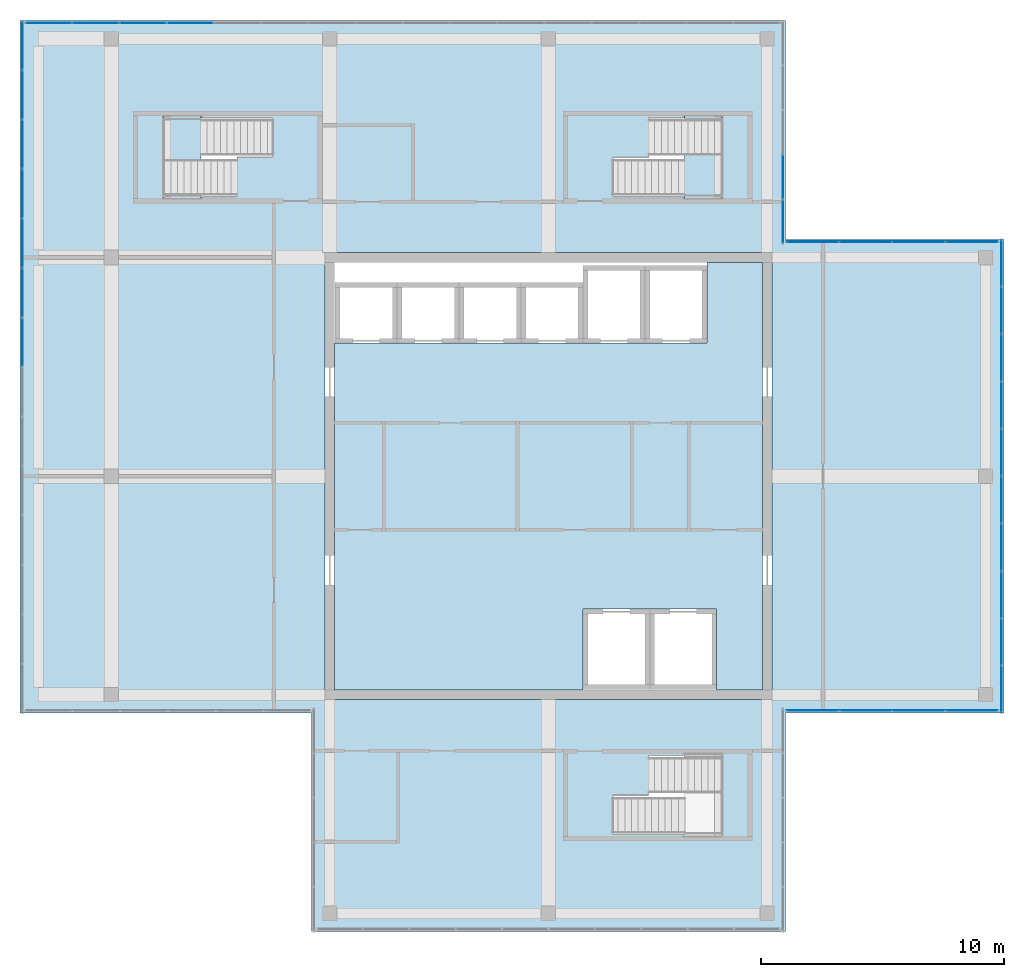
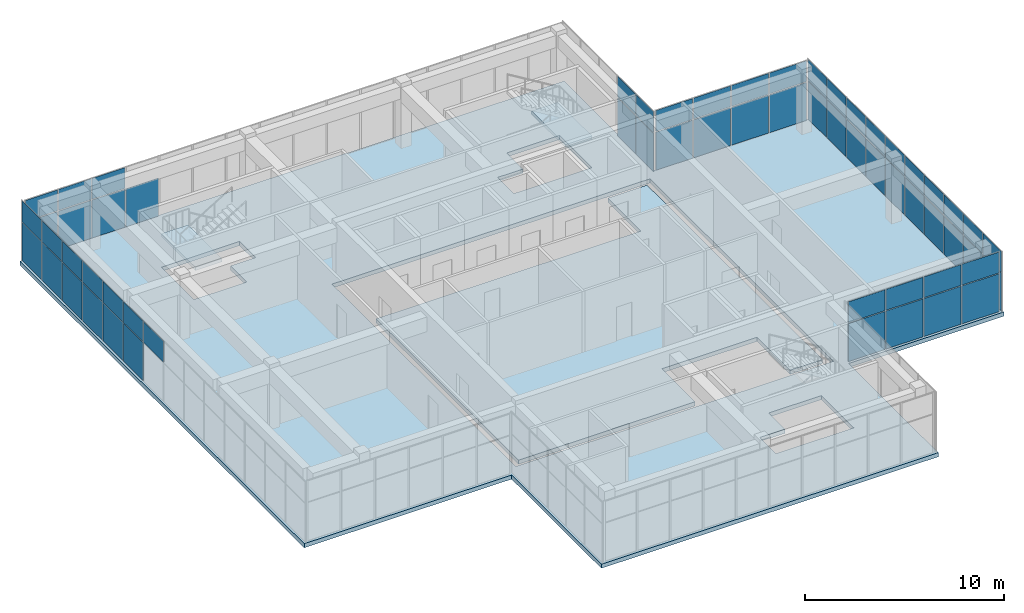
# One storey, part 30 of 35: 60 plates, 4 slabs, 8 elements without a shape of their own.
"""IFC4 building model written with IfcOpenShell, lengths in metres."""

from ifc_helpers import new_model, si_unit, direction, frame, origin, origin_2d, place, context, subcontext, project, spatial, polyline, rectangle, outline, extrude, material, layer, layer_set, type_object, element, aggregate, save


model = new_model("IFC4")

# Units and contexts
model_context = context("Model", 3, precision=1e-05, world=origin(), true_north=direction((0.0, 1.0)))
body_context = subcontext(model_context, "Body", "Model", "MODEL_VIEW")
ifc_project = project(units=[si_unit("LENGTHUNIT", "METRE"), si_unit("AREAUNIT", "SQUARE_METRE"), si_unit("VOLUMEUNIT", "CUBIC_METRE"), si_unit("PLANEANGLEUNIT", "RADIAN"), si_unit("MASSUNIT", "GRAM", prefix="KILO")], contexts=[model_context])

# Site, building, storey
site_placement = place(None, origin())
site = spatial("IfcSite", under=ifc_project, at=site_placement, CompositionType="ELEMENT")
building_placement = place(site_placement, origin())
building = spatial("IfcBuilding", under=site, at=building_placement, Name="Tuart Plaza Theatre", CompositionType="ELEMENT")
storey_placement = place(building_placement, frame((0.0, 0.0, 45.5)))
storey = spatial("IfcBuildingStorey", under=building, at=storey_placement, Name="L11", CompositionType="ELEMENT", Elevation=45.5)

# Curtain wall, plates
ifc_material_1 = material(Name="Aluminium and glass", Category="aluminium")
ifc_layer_1 = layer(ifc_material_1, 0.10009765625)
ifc_layer_set_1 = layer_set([ifc_layer_1], Name="CURTAIN WALL 2000 module")
curtain_wall_type = type_object("IfcCurtainWallType", Name="CURTAIN WALL 2000 module", PredefinedType="NOTDEFINED", material=ifc_layer_set_1)
curtain_wall_1_placement = place(storey_placement, origin())
curtain_wall_1 = element("IfcCurtainWall", 1, at=curtain_wall_1_placement, inside=storey, type_object=curtain_wall_type, Name="CW101", PredefinedType="NOTDEFINED")
ifc_material_2 = material(Name="Glass", Category="glass")
ifc_layer_2 = layer(ifc_material_2, 0.028076171875)
ifc_layer_set_2 = layer_set([ifc_layer_2], Name="CURTAIN PANEL double glazed 28")
plate_type_1 = type_object("IfcPlateType", Name="CURTAIN PANEL double glazed 28", PredefinedType="CURTAIN_PANEL", material=ifc_layer_set_2)
plate_1_placement = place(storey_placement, frame((142.862548828125, 64.35009765625, 0.0498046875), z_axis=(0.0, 0.0, 1.0), x_axis=(1.0, 0.0, 0.0)))
plate_1 = element("IfcPlate", 2, at=plate_1_placement, type_object=plate_type_1, Name="CW101 panel 1.1", PredefinedType="CURTAIN_PANEL", context=body_context, shape_type="SweptSolid", body=[
    extrude(rectangle(XDim=2.125, YDim=0.028076171875, at=origin_2d()), origin(), (0.0, 0.0, 1.0), 2.324951171875),
])
plate_2_placement = place(storey_placement, frame((142.862548828125, 64.35009765625, 2.425048828125), z_axis=(0.0, 0.0, 1.0), x_axis=(1.0, 0.0, 0.0)))
plate_2 = element("IfcPlate", 3, at=plate_2_placement, type_object=plate_type_1, Name="CW101 panel 1.2", PredefinedType="CURTAIN_PANEL", context=body_context, shape_type="SweptSolid", body=[
    extrude(rectangle(XDim=2.125, YDim=0.028076171875, at=origin_2d()), origin(), (0.0, 0.0, 1.0), 1.27490234375),
])
plate_3_placement = place(storey_placement, frame((147.25, 64.35009765625, 0.0498046875), z_axis=(0.0, 0.0, 1.0), x_axis=(1.0, 0.0, 0.0)))
plate_3 = element("IfcPlate", 4, at=plate_3_placement, type_object=plate_type_1, Name="CW101 panel 3.1", PredefinedType="CURTAIN_PANEL", context=body_context, shape_type="SweptSolid", body=[
    extrude(rectangle(XDim=2.14990234375, YDim=0.028076171875, at=origin_2d()), origin(), (0.0, 0.0, 1.0), 2.324951171875),
])
plate_4_placement = place(storey_placement, frame((147.25, 64.35009765625, 2.425048828125), z_axis=(0.0, 0.0, 1.0), x_axis=(1.0, 0.0, 0.0)))
plate_4 = element("IfcPlate", 5, at=plate_4_placement, type_object=plate_type_1, Name="CW101 panel 3.2", PredefinedType="CURTAIN_PANEL", context=body_context, shape_type="SweptSolid", body=[
    extrude(rectangle(XDim=2.14990234375, YDim=0.028076171875, at=origin_2d()), origin(), (0.0, 0.0, 1.0), 1.27490234375),
])
plate_5_placement = place(storey_placement, frame((149.4375, 64.35009765625, 0.0498046875), z_axis=(0.0, 0.0, 1.0), x_axis=(1.0, 0.0, 0.0)))
plate_5 = element("IfcPlate", 6, at=plate_5_placement, type_object=plate_type_1, Name="CW101 panel 4.1", PredefinedType="CURTAIN_PANEL", context=body_context, shape_type="SweptSolid", body=[
    extrude(rectangle(XDim=2.125, YDim=0.028076171875, at=origin_2d()), origin(), (0.0, 0.0, 1.0), 2.324951171875),
])
plate_6_placement = place(storey_placement, frame((149.4375, 64.35009765625, 2.425048828125), z_axis=(0.0, 0.0, 1.0), x_axis=(1.0, 0.0, 0.0)))
plate_6 = element("IfcPlate", 7, at=plate_6_placement, type_object=plate_type_1, Name="CW101 panel 4.2", PredefinedType="CURTAIN_PANEL", context=body_context, shape_type="SweptSolid", body=[
    extrude(rectangle(XDim=2.125, YDim=0.028076171875, at=origin_2d()), origin(), (0.0, 0.0, 1.0), 1.27490234375),
])

curtain_wall_2_placement = place(storey_placement, origin())
curtain_wall_2 = element("IfcCurtainWall", 8, at=curtain_wall_2_placement, inside=storey, type_object=curtain_wall_type, Name="CW102", PredefinedType="NOTDEFINED")
plate_7_placement = place(storey_placement, frame((150.64990234375, 65.237548828125, 0.0498046875), z_axis=(0.0, 0.0, 1.0), x_axis=(0.0, 1.0, 0.0)))
plate_7 = element("IfcPlate", 9, at=plate_7_placement, type_object=plate_type_1, Name="CW102 panel 1.1", PredefinedType="CURTAIN_PANEL", context=body_context, shape_type="SweptSolid", body=[
    extrude(rectangle(XDim=1.875, YDim=0.028076171875, at=origin_2d()), origin(), (0.0, 0.0, 1.0), 2.324951171875),
])
plate_8_placement = place(storey_placement, frame((150.64990234375, 65.237548828125, 2.425048828125), z_axis=(0.0, 0.0, 1.0), x_axis=(0.0, 1.0, 0.0)))
plate_8 = element("IfcPlate", 10, at=plate_8_placement, type_object=plate_type_1, Name="CW102 panel 1.2", PredefinedType="CURTAIN_PANEL", context=body_context, shape_type="SweptSolid", body=[
    extrude(rectangle(XDim=1.875, YDim=0.028076171875, at=origin_2d()), origin(), (0.0, 0.0, 1.0), 1.27490234375),
])
plate_9_placement = place(storey_placement, frame((150.64990234375, 67.175048828125, 0.0498046875), z_axis=(0.0, 0.0, 1.0), x_axis=(0.0, 1.0, 0.0)))
plate_9 = element("IfcPlate", 11, at=plate_9_placement, type_object=plate_type_1, Name="CW102 panel 2.1", PredefinedType="CURTAIN_PANEL", context=body_context, shape_type="SweptSolid", body=[
    extrude(rectangle(XDim=1.89990234375, YDim=0.028076171875, at=origin_2d()), origin(), (0.0, 0.0, 1.0), 2.324951171875),
])
plate_10_placement = place(storey_placement, frame((150.64990234375, 67.175048828125, 2.425048828125), z_axis=(0.0, 0.0, 1.0), x_axis=(0.0, 1.0, 0.0)))
plate_10 = element("IfcPlate", 12, at=plate_10_placement, type_object=plate_type_1, Name="CW102 panel 2.2", PredefinedType="CURTAIN_PANEL", context=body_context, shape_type="SweptSolid", body=[
    extrude(rectangle(XDim=1.89990234375, YDim=0.028076171875, at=origin_2d()), origin(), (0.0, 0.0, 1.0), 1.27490234375),
])
plate_11_placement = place(storey_placement, frame((150.64990234375, 69.125, 0.0498046875), z_axis=(0.0, 0.0, 1.0), x_axis=(0.0, 1.0, 0.0)))
plate_11 = element("IfcPlate", 13, at=plate_11_placement, type_object=plate_type_1, Name="CW102 panel 3.1", PredefinedType="CURTAIN_PANEL", context=body_context, shape_type="SweptSolid", body=[
    extrude(rectangle(XDim=1.89990234375, YDim=0.028076171875, at=origin_2d()), origin(), (0.0, 0.0, 1.0), 2.324951171875),
])
plate_12_placement = place(storey_placement, frame((150.64990234375, 69.125, 2.425048828125), z_axis=(0.0, 0.0, 1.0), x_axis=(0.0, 1.0, 0.0)))
plate_12 = element("IfcPlate", 14, at=plate_12_placement, type_object=plate_type_1, Name="CW102 panel 3.2", PredefinedType="CURTAIN_PANEL", context=body_context, shape_type="SweptSolid", body=[
    extrude(rectangle(XDim=1.89990234375, YDim=0.028076171875, at=origin_2d()), origin(), (0.0, 0.0, 1.0), 1.27490234375),
])
plate_13_placement = place(storey_placement, frame((150.64990234375, 71.074951171875, 0.0498046875), z_axis=(0.0, 0.0, 1.0), x_axis=(0.0, 1.0, 0.0)))
plate_13 = element("IfcPlate", 15, at=plate_13_placement, type_object=plate_type_1, Name="CW102 panel 4.1", PredefinedType="CURTAIN_PANEL", context=body_context, shape_type="SweptSolid", body=[
    extrude(rectangle(XDim=1.89990234375, YDim=0.028076171875, at=origin_2d()), origin(), (0.0, 0.0, 1.0), 2.324951171875),
])
plate_14_placement = place(storey_placement, frame((150.64990234375, 71.074951171875, 2.425048828125), z_axis=(0.0, 0.0, 1.0), x_axis=(0.0, 1.0, 0.0)))
plate_14 = element("IfcPlate", 16, at=plate_14_placement, type_object=plate_type_1, Name="CW102 panel 4.2", PredefinedType="CURTAIN_PANEL", context=body_context, shape_type="SweptSolid", body=[
    extrude(rectangle(XDim=1.89990234375, YDim=0.028076171875, at=origin_2d()), origin(), (0.0, 0.0, 1.0), 1.27490234375),
])
plate_15_placement = place(storey_placement, frame((150.64990234375, 73.02490234375, 0.0498046875), z_axis=(0.0, 0.0, 1.0), x_axis=(0.0, 1.0, 0.0)))
plate_15 = element("IfcPlate", 17, at=plate_15_placement, type_object=plate_type_1, Name="CW102 panel 5.1", PredefinedType="CURTAIN_PANEL", context=body_context, shape_type="SweptSolid", body=[
    extrude(rectangle(XDim=1.89990234375, YDim=0.028076171875, at=origin_2d()), origin(), (0.0, 0.0, 1.0), 2.324951171875),
])
plate_16_placement = place(storey_placement, frame((150.64990234375, 73.02490234375, 2.425048828125), z_axis=(0.0, 0.0, 1.0), x_axis=(0.0, 1.0, 0.0)))
plate_16 = element("IfcPlate", 18, at=plate_16_placement, type_object=plate_type_1, Name="CW102 panel 5.2", PredefinedType="CURTAIN_PANEL", context=body_context, shape_type="SweptSolid", body=[
    extrude(rectangle(XDim=1.89990234375, YDim=0.028076171875, at=origin_2d()), origin(), (0.0, 0.0, 1.0), 1.27490234375),
])
plate_17_placement = place(storey_placement, frame((150.64990234375, 74.97509765625, 0.0498046875), z_axis=(0.0, 0.0, 1.0), x_axis=(0.0, 1.0, 0.0)))
plate_17 = element("IfcPlate", 19, at=plate_17_placement, type_object=plate_type_1, Name="CW102 panel 6.1", PredefinedType="CURTAIN_PANEL", context=body_context, shape_type="SweptSolid", body=[
    extrude(rectangle(XDim=1.89990234375, YDim=0.028076171875, at=origin_2d()), origin(), (0.0, 0.0, 1.0), 2.324951171875),
])
plate_18_placement = place(storey_placement, frame((150.64990234375, 74.97509765625, 2.425048828125), z_axis=(0.0, 0.0, 1.0), x_axis=(0.0, 1.0, 0.0)))
plate_18 = element("IfcPlate", 20, at=plate_18_placement, type_object=plate_type_1, Name="CW102 panel 6.2", PredefinedType="CURTAIN_PANEL", context=body_context, shape_type="SweptSolid", body=[
    extrude(rectangle(XDim=1.89990234375, YDim=0.028076171875, at=origin_2d()), origin(), (0.0, 0.0, 1.0), 1.27490234375),
])
plate_19_placement = place(storey_placement, frame((150.64990234375, 76.925048828125, 0.0498046875), z_axis=(0.0, 0.0, 1.0), x_axis=(0.0, 1.0, 0.0)))
plate_19 = element("IfcPlate", 21, at=plate_19_placement, type_object=plate_type_1, Name="CW102 panel 7.1", PredefinedType="CURTAIN_PANEL", context=body_context, shape_type="SweptSolid", body=[
    extrude(rectangle(XDim=1.89990234375, YDim=0.028076171875, at=origin_2d()), origin(), (0.0, 0.0, 1.0), 2.324951171875),
])
plate_20_placement = place(storey_placement, frame((150.64990234375, 76.925048828125, 2.425048828125), z_axis=(0.0, 0.0, 1.0), x_axis=(0.0, 1.0, 0.0)))
plate_20 = element("IfcPlate", 22, at=plate_20_placement, type_object=plate_type_1, Name="CW102 panel 7.2", PredefinedType="CURTAIN_PANEL", context=body_context, shape_type="SweptSolid", body=[
    extrude(rectangle(XDim=1.89990234375, YDim=0.028076171875, at=origin_2d()), origin(), (0.0, 0.0, 1.0), 1.27490234375),
])
plate_21_placement = place(storey_placement, frame((150.64990234375, 78.875, 0.0498046875), z_axis=(0.0, 0.0, 1.0), x_axis=(0.0, 1.0, 0.0)))
plate_21 = element("IfcPlate", 23, at=plate_21_placement, type_object=plate_type_1, Name="CW102 panel 8.1", PredefinedType="CURTAIN_PANEL", context=body_context, shape_type="SweptSolid", body=[
    extrude(rectangle(XDim=1.89990234375, YDim=0.028076171875, at=origin_2d()), origin(), (0.0, 0.0, 1.0), 2.324951171875),
])
plate_22_placement = place(storey_placement, frame((150.64990234375, 78.875, 2.425048828125), z_axis=(0.0, 0.0, 1.0), x_axis=(0.0, 1.0, 0.0)))
plate_22 = element("IfcPlate", 24, at=plate_22_placement, type_object=plate_type_1, Name="CW102 panel 8.2", PredefinedType="CURTAIN_PANEL", context=body_context, shape_type="SweptSolid", body=[
    extrude(rectangle(XDim=1.89990234375, YDim=0.028076171875, at=origin_2d()), origin(), (0.0, 0.0, 1.0), 1.27490234375),
])
plate_23_placement = place(storey_placement, frame((150.64990234375, 80.824951171875, 0.0498046875), z_axis=(0.0, 0.0, 1.0), x_axis=(0.0, 1.0, 0.0)))
plate_23 = element("IfcPlate", 25, at=plate_23_placement, type_object=plate_type_1, Name="CW102 panel 9.1", PredefinedType="CURTAIN_PANEL", context=body_context, shape_type="SweptSolid", body=[
    extrude(rectangle(XDim=1.89990234375, YDim=0.028076171875, at=origin_2d()), origin(), (0.0, 0.0, 1.0), 2.324951171875),
])
plate_24_placement = place(storey_placement, frame((150.64990234375, 80.824951171875, 2.425048828125), z_axis=(0.0, 0.0, 1.0), x_axis=(0.0, 1.0, 0.0)))
plate_24 = element("IfcPlate", 26, at=plate_24_placement, type_object=plate_type_1, Name="CW102 panel 9.2", PredefinedType="CURTAIN_PANEL", context=body_context, shape_type="SweptSolid", body=[
    extrude(rectangle(XDim=1.89990234375, YDim=0.028076171875, at=origin_2d()), origin(), (0.0, 0.0, 1.0), 1.27490234375),
])
plate_25_placement = place(storey_placement, frame((150.64990234375, 82.762451171875, 0.0498046875), z_axis=(0.0, 0.0, 1.0), x_axis=(0.0, 1.0, 0.0)))
plate_25 = element("IfcPlate", 27, at=plate_25_placement, type_object=plate_type_1, Name="CW102 panel 10.1", PredefinedType="CURTAIN_PANEL", context=body_context, shape_type="SweptSolid", body=[
    extrude(rectangle(XDim=1.875, YDim=0.028076171875, at=origin_2d()), origin(), (0.0, 0.0, 1.0), 2.324951171875),
])
plate_26_placement = place(storey_placement, frame((150.64990234375, 82.762451171875, 2.425048828125), z_axis=(0.0, 0.0, 1.0), x_axis=(0.0, 1.0, 0.0)))
plate_26 = element("IfcPlate", 28, at=plate_26_placement, type_object=plate_type_1, Name="CW102 panel 10.2", PredefinedType="CURTAIN_PANEL", context=body_context, shape_type="SweptSolid", body=[
    extrude(rectangle(XDim=1.875, YDim=0.028076171875, at=origin_2d()), origin(), (0.0, 0.0, 1.0), 1.27490234375),
])
aggregate(curtain_wall_2, [plate_7, plate_8, plate_9, plate_10, plate_11, plate_12, plate_13, plate_14, plate_15, plate_16, plate_17, plate_18, plate_19, plate_20, plate_21, plate_22, plate_23, plate_24, plate_25, plate_26])

curtain_wall_3_placement = place(storey_placement, origin())
curtain_wall_3 = element("IfcCurtainWall", 29, at=curtain_wall_3_placement, inside=storey, type_object=curtain_wall_type, Name="CW103", PredefinedType="NOTDEFINED")
plate_27_placement = place(storey_placement, frame((149.4375, 83.64990234375, 0.0498046875), z_axis=(0.0, 0.0, 1.0), x_axis=(-1.0, 0.0, 0.0)))
plate_27 = element("IfcPlate", 30, at=plate_27_placement, type_object=plate_type_1, Name="CW103 panel 1.1", PredefinedType="CURTAIN_PANEL", context=body_context, shape_type="SweptSolid", body=[
    extrude(rectangle(XDim=2.125, YDim=0.028076171875, at=origin_2d()), origin(), (0.0, 0.0, 1.0), 2.324951171875),
])
plate_28_placement = place(storey_placement, frame((149.4375, 83.64990234375, 2.425048828125), z_axis=(0.0, 0.0, 1.0), x_axis=(-1.0, 0.0, 0.0)))
plate_28 = element("IfcPlate", 31, at=plate_28_placement, type_object=plate_type_1, Name="CW103 panel 1.2", PredefinedType="CURTAIN_PANEL", context=body_context, shape_type="SweptSolid", body=[
    extrude(rectangle(XDim=2.125, YDim=0.028076171875, at=origin_2d()), origin(), (0.0, 0.0, 1.0), 1.27490234375),
])
plate_29_placement = place(storey_placement, frame((147.25, 83.64990234375, 0.0498046875), z_axis=(0.0, 0.0, 1.0), x_axis=(-1.0, 0.0, 0.0)))
plate_29 = element("IfcPlate", 32, at=plate_29_placement, type_object=plate_type_1, Name="CW103 panel 2.1", PredefinedType="CURTAIN_PANEL", context=body_context, shape_type="SweptSolid", body=[
    extrude(rectangle(XDim=2.14990234375, YDim=0.028076171875, at=origin_2d()), origin(), (0.0, 0.0, 1.0), 2.324951171875),
])
plate_30_placement = place(storey_placement, frame((147.25, 83.64990234375, 2.425048828125), z_axis=(0.0, 0.0, 1.0), x_axis=(-1.0, 0.0, 0.0)))
plate_30 = element("IfcPlate", 33, at=plate_30_placement, type_object=plate_type_1, Name="CW103 panel 2.2", PredefinedType="CURTAIN_PANEL", context=body_context, shape_type="SweptSolid", body=[
    extrude(rectangle(XDim=2.14990234375, YDim=0.028076171875, at=origin_2d()), origin(), (0.0, 0.0, 1.0), 1.27490234375),
])
plate_31_placement = place(storey_placement, frame((145.050048828125, 83.64990234375, 0.0498046875), z_axis=(0.0, 0.0, 1.0), x_axis=(-1.0, 0.0, 0.0)))
plate_31 = element("IfcPlate", 34, at=plate_31_placement, type_object=plate_type_1, Name="CW103 panel 3.1", PredefinedType="CURTAIN_PANEL", context=body_context, shape_type="SweptSolid", body=[
    extrude(rectangle(XDim=2.14990234375, YDim=0.028076171875, at=origin_2d()), origin(), (0.0, 0.0, 1.0), 2.324951171875),
])
plate_32_placement = place(storey_placement, frame((145.050048828125, 83.64990234375, 2.425048828125), z_axis=(0.0, 0.0, 1.0), x_axis=(-1.0, 0.0, 0.0)))
plate_32 = element("IfcPlate", 35, at=plate_32_placement, type_object=plate_type_1, Name="CW103 panel 3.2", PredefinedType="CURTAIN_PANEL", context=body_context, shape_type="SweptSolid", body=[
    extrude(rectangle(XDim=2.14990234375, YDim=0.028076171875, at=origin_2d()), origin(), (0.0, 0.0, 1.0), 1.27490234375),
])
plate_33_placement = place(storey_placement, frame((142.862548828125, 83.64990234375, 0.0498046875), z_axis=(0.0, 0.0, 1.0), x_axis=(-1.0, 0.0, 0.0)))
plate_33 = element("IfcPlate", 36, at=plate_33_placement, type_object=plate_type_1, Name="CW103 panel 4.1", PredefinedType="CURTAIN_PANEL", context=body_context, shape_type="SweptSolid", body=[
    extrude(rectangle(XDim=2.125, YDim=0.028076171875, at=origin_2d()), origin(), (0.0, 0.0, 1.0), 2.324951171875),
])
plate_34_placement = place(storey_placement, frame((142.862548828125, 83.64990234375, 2.425048828125), z_axis=(0.0, 0.0, 1.0), x_axis=(-1.0, 0.0, 0.0)))
plate_34 = element("IfcPlate", 37, at=plate_34_placement, type_object=plate_type_1, Name="CW103 panel 4.2", PredefinedType="CURTAIN_PANEL", context=body_context, shape_type="SweptSolid", body=[
    extrude(rectangle(XDim=2.125, YDim=0.028076171875, at=origin_2d()), origin(), (0.0, 0.0, 1.0), 1.27490234375),
])
aggregate(curtain_wall_3, [plate_27, plate_28, plate_29, plate_30, plate_31, plate_32, plate_33, plate_34])

curtain_wall_4_placement = place(storey_placement, origin())
curtain_wall_4 = element("IfcCurtainWall", 38, at=curtain_wall_4_placement, inside=storey, type_object=curtain_wall_type, Name="CW104", PredefinedType="NOTDEFINED")
plate_35_placement = place(storey_placement, frame((141.64990234375, 84.482421875, 0.0498046875), z_axis=(0.0, 0.0, 1.0), x_axis=(0.0, 1.0, 0.0)))
plate_35 = element("IfcPlate", 39, at=plate_35_placement, type_object=plate_type_1, Name="CW104 panel 1.1", PredefinedType="CURTAIN_PANEL", context=body_context, shape_type="SweptSolid", body=[
    extrude(rectangle(XDim=1.764892578125, YDim=0.028076171875, at=origin_2d()), origin(), (0.0, 0.0, 1.0), 2.324951171875),
])
plate_36_placement = place(storey_placement, frame((141.64990234375, 84.482421875, 2.425048828125), z_axis=(0.0, 0.0, 1.0), x_axis=(0.0, 1.0, 0.0)))
plate_36 = element("IfcPlate", 40, at=plate_36_placement, type_object=plate_type_1, Name="CW104 panel 1.2", PredefinedType="CURTAIN_PANEL", context=body_context, shape_type="SweptSolid", body=[
    extrude(rectangle(XDim=1.764892578125, YDim=0.028076171875, at=origin_2d()), origin(), (0.0, 0.0, 1.0), 1.27490234375),
])
plate_37_placement = place(storey_placement, frame((141.64990234375, 86.31005859375, 0.0498046875), z_axis=(0.0, 0.0, 1.0), x_axis=(0.0, 1.0, 0.0)))
plate_37 = element("IfcPlate", 41, at=plate_37_placement, type_object=plate_type_1, Name="CW104 panel 2.1", PredefinedType="CURTAIN_PANEL", context=body_context, shape_type="SweptSolid", body=[
    extrude(rectangle(XDim=1.7900390625, YDim=0.028076171875, at=origin_2d()), origin(), (0.0, 0.0, 1.0), 2.324951171875),
])
plate_38_placement = place(storey_placement, frame((141.64990234375, 86.31005859375, 2.425048828125), z_axis=(0.0, 0.0, 1.0), x_axis=(0.0, 1.0, 0.0)))
plate_38 = element("IfcPlate", 42, at=plate_38_placement, type_object=plate_type_1, Name="CW104 panel 2.2", PredefinedType="CURTAIN_PANEL", context=body_context, shape_type="SweptSolid", body=[
    extrude(rectangle(XDim=1.7900390625, YDim=0.028076171875, at=origin_2d()), origin(), (0.0, 0.0, 1.0), 1.27490234375),
])
aggregate(curtain_wall_4, [plate_35, plate_36, plate_37, plate_38])

curtain_wall_5_placement = place(storey_placement, origin())
curtain_wall_5 = element("IfcCurtainWall", 43, at=curtain_wall_5_placement, inside=storey, type_object=curtain_wall_type, Name="CW105", PredefinedType="NOTDEFINED")
plate_39_placement = place(storey_placement, frame((117.253173828125, 92.64990234375, 0.0498046875), z_axis=(0.0, 0.0, 1.0), x_axis=(-1.0, 0.0, 0.0)))
plate_39 = element("IfcPlate", 44, at=plate_39_placement, type_object=plate_type_1, Name="CW105 panel 13.1", PredefinedType="CURTAIN_PANEL", context=body_context, shape_type="SweptSolid", body=[
    extrude(rectangle(XDim=1.893798828125, YDim=0.028076171875, at=origin_2d()), origin(), (0.0, 0.0, 1.0), 2.324951171875),
])
plate_40_placement = place(storey_placement, frame((115.309326171875, 92.64990234375, 0.0498046875), z_axis=(0.0, 0.0, 1.0), x_axis=(-1.0, 0.0, 0.0)))
plate_40 = element("IfcPlate", 45, at=plate_40_placement, type_object=plate_type_1, Name="CW105 panel 14.1", PredefinedType="CURTAIN_PANEL", context=body_context, shape_type="SweptSolid", body=[
    extrude(rectangle(XDim=1.893798828125, YDim=0.028076171875, at=origin_2d()), origin(), (0.0, 0.0, 1.0), 2.324951171875),
])
plate_41_placement = place(storey_placement, frame((115.309326171875, 92.64990234375, 2.425048828125), z_axis=(0.0, 0.0, 1.0), x_axis=(-1.0, 0.0, 0.0)))
plate_41 = element("IfcPlate", 46, at=plate_41_placement, type_object=plate_type_1, Name="CW105 panel 14.2", PredefinedType="CURTAIN_PANEL", context=body_context, shape_type="SweptSolid", body=[
    extrude(rectangle(XDim=1.893798828125, YDim=0.028076171875, at=origin_2d()), origin(), (0.0, 0.0, 1.0), 1.27490234375),
])
plate_42_placement = place(storey_placement, frame((113.36572265625, 92.64990234375, 0.0498046875), z_axis=(0.0, 0.0, 1.0), x_axis=(-1.0, 0.0, 0.0)))
plate_42 = element("IfcPlate", 47, at=plate_42_placement, type_object=plate_type_1, Name="CW105 panel 15.1", PredefinedType="CURTAIN_PANEL", context=body_context, shape_type="SweptSolid", body=[
    extrude(rectangle(XDim=1.893798828125, YDim=0.028076171875, at=origin_2d()), origin(), (0.0, 0.0, 1.0), 2.324951171875),
])
plate_43_placement = place(storey_placement, frame((113.36572265625, 92.64990234375, 2.425048828125), z_axis=(0.0, 0.0, 1.0), x_axis=(-1.0, 0.0, 0.0)))
plate_43 = element("IfcPlate", 48, at=plate_43_placement, type_object=plate_type_1, Name="CW105 panel 15.2", PredefinedType="CURTAIN_PANEL", context=body_context, shape_type="SweptSolid", body=[
    extrude(rectangle(XDim=1.893798828125, YDim=0.028076171875, at=origin_2d()), origin(), (0.0, 0.0, 1.0), 1.27490234375),
])
plate_44_placement = place(storey_placement, frame((111.434326171875, 92.64990234375, 0.0498046875), z_axis=(0.0, 0.0, 1.0), x_axis=(-1.0, 0.0, 0.0)))
plate_44 = element("IfcPlate", 49, at=plate_44_placement, type_object=plate_type_1, Name="CW105 panel 16.1", PredefinedType="CURTAIN_PANEL", context=body_context, shape_type="SweptSolid", body=[
    extrude(rectangle(XDim=1.86865234375, YDim=0.028076171875, at=origin_2d()), origin(), (0.0, 0.0, 1.0), 2.324951171875),
])
plate_45_placement = place(storey_placement, frame((111.434326171875, 92.64990234375, 2.425048828125), z_axis=(0.0, 0.0, 1.0), x_axis=(-1.0, 0.0, 0.0)))
plate_45 = element("IfcPlate", 50, at=plate_45_placement, type_object=plate_type_1, Name="CW105 panel 16.2", PredefinedType="CURTAIN_PANEL", context=body_context, shape_type="SweptSolid", body=[
    extrude(rectangle(XDim=1.86865234375, YDim=0.028076171875, at=origin_2d()), origin(), (0.0, 0.0, 1.0), 1.27490234375),
])
aggregate(curtain_wall_5, [plate_39, plate_40, plate_41, plate_42, plate_43, plate_44, plate_45])

curtain_wall_6_placement = place(storey_placement, origin())
curtain_wall_6 = element("IfcCurtainWall", 51, at=curtain_wall_6_placement, inside=storey, type_object=curtain_wall_type, Name="CW106", PredefinedType="NOTDEFINED")
plate_46_placement = place(storey_placement, frame((110.35009765625, 91.7197265625, 0.0498046875), z_axis=(0.0, 0.0, 1.0), x_axis=(0.0, -1.0, 0.0)))
plate_46 = element("IfcPlate", 52, at=plate_46_placement, type_object=plate_type_1, Name="CW106 panel 1.1", PredefinedType="CURTAIN_PANEL", context=body_context, shape_type="SweptSolid", body=[
    extrude(rectangle(XDim=1.960693359375, YDim=0.028076171875, at=origin_2d()), origin(), (0.0, 0.0, 1.0), 2.324951171875),
])
plate_47_placement = place(storey_placement, frame((110.35009765625, 91.7197265625, 2.425048828125), z_axis=(0.0, 0.0, 1.0), x_axis=(0.0, -1.0, 0.0)))
plate_47 = element("IfcPlate", 53, at=plate_47_placement, type_object=plate_type_1, Name="CW106 panel 1.2", PredefinedType="CURTAIN_PANEL", context=body_context, shape_type="SweptSolid", body=[
    extrude(rectangle(XDim=1.960693359375, YDim=0.028076171875, at=origin_2d()), origin(), (0.0, 0.0, 1.0), 1.27490234375),
])
plate_48_placement = place(storey_placement, frame((110.35009765625, 89.696533203125, 0.0498046875), z_axis=(0.0, 0.0, 1.0), x_axis=(0.0, -1.0, 0.0)))
plate_48 = element("IfcPlate", 54, at=plate_48_placement, type_object=plate_type_1, Name="CW106 panel 2.1", PredefinedType="CURTAIN_PANEL", context=body_context, shape_type="SweptSolid", body=[
    extrude(rectangle(XDim=1.985595703125, YDim=0.028076171875, at=origin_2d()), origin(), (0.0, 0.0, 1.0), 2.324951171875),
])
plate_49_placement = place(storey_placement, frame((110.35009765625, 89.696533203125, 2.425048828125), z_axis=(0.0, 0.0, 1.0), x_axis=(0.0, -1.0, 0.0)))
plate_49 = element("IfcPlate", 55, at=plate_49_placement, type_object=plate_type_1, Name="CW106 panel 2.2", PredefinedType="CURTAIN_PANEL", context=body_context, shape_type="SweptSolid", body=[
    extrude(rectangle(XDim=1.985595703125, YDim=0.028076171875, at=origin_2d()), origin(), (0.0, 0.0, 1.0), 1.27490234375),
])
plate_50_placement = place(storey_placement, frame((110.35009765625, 87.66064453125, 0.0498046875), z_axis=(0.0, 0.0, 1.0), x_axis=(0.0, -1.0, 0.0)))
plate_50 = element("IfcPlate", 56, at=plate_50_placement, type_object=plate_type_1, Name="CW106 panel 3.1", PredefinedType="CURTAIN_PANEL", context=body_context, shape_type="SweptSolid", body=[
    extrude(rectangle(XDim=1.985595703125, YDim=0.028076171875, at=origin_2d()), origin(), (0.0, 0.0, 1.0), 2.324951171875),
])
plate_51_placement = place(storey_placement, frame((110.35009765625, 87.66064453125, 2.425048828125), z_axis=(0.0, 0.0, 1.0), x_axis=(0.0, -1.0, 0.0)))
plate_51 = element("IfcPlate", 57, at=plate_51_placement, type_object=plate_type_1, Name="CW106 panel 3.2", PredefinedType="CURTAIN_PANEL", context=body_context, shape_type="SweptSolid", body=[
    extrude(rectangle(XDim=1.985595703125, YDim=0.028076171875, at=origin_2d()), origin(), (0.0, 0.0, 1.0), 1.27490234375),
])
plate_52_placement = place(storey_placement, frame((110.35009765625, 85.625, 0.0498046875), z_axis=(0.0, 0.0, 1.0), x_axis=(0.0, -1.0, 0.0)))
plate_52 = element("IfcPlate", 58, at=plate_52_placement, type_object=plate_type_1, Name="CW106 panel 4.1", PredefinedType="CURTAIN_PANEL", context=body_context, shape_type="SweptSolid", body=[
    extrude(rectangle(XDim=1.985595703125, YDim=0.028076171875, at=origin_2d()), origin(), (0.0, 0.0, 1.0), 2.324951171875),
])
plate_53_placement = place(storey_placement, frame((110.35009765625, 85.625, 2.425048828125), z_axis=(0.0, 0.0, 1.0), x_axis=(0.0, -1.0, 0.0)))
plate_53 = element("IfcPlate", 59, at=plate_53_placement, type_object=plate_type_1, Name="CW106 panel 4.2", PredefinedType="CURTAIN_PANEL", context=body_context, shape_type="SweptSolid", body=[
    extrude(rectangle(XDim=1.985595703125, YDim=0.028076171875, at=origin_2d()), origin(), (0.0, 0.0, 1.0), 1.27490234375),
])
plate_54_placement = place(storey_placement, frame((110.35009765625, 83.58935546875, 0.0498046875), z_axis=(0.0, 0.0, 1.0), x_axis=(0.0, -1.0, 0.0)))
plate_54 = element("IfcPlate", 60, at=plate_54_placement, type_object=plate_type_1, Name="CW106 panel 5.1", PredefinedType="CURTAIN_PANEL", context=body_context, shape_type="SweptSolid", body=[
    extrude(rectangle(XDim=1.985595703125, YDim=0.028076171875, at=origin_2d()), origin(), (0.0, 0.0, 1.0), 2.324951171875),
])
plate_55_placement = place(storey_placement, frame((110.35009765625, 83.58935546875, 2.425048828125), z_axis=(0.0, 0.0, 1.0), x_axis=(0.0, -1.0, 0.0)))
plate_55 = element("IfcPlate", 61, at=plate_55_placement, type_object=plate_type_1, Name="CW106 panel 5.2", PredefinedType="CURTAIN_PANEL", context=body_context, shape_type="SweptSolid", body=[
    extrude(rectangle(XDim=1.985595703125, YDim=0.028076171875, at=origin_2d()), origin(), (0.0, 0.0, 1.0), 1.27490234375),
])
plate_56_placement = place(storey_placement, frame((110.35009765625, 81.553466796875, 0.0498046875), z_axis=(0.0, 0.0, 1.0), x_axis=(0.0, -1.0, 0.0)))
plate_56 = element("IfcPlate", 62, at=plate_56_placement, type_object=plate_type_1, Name="CW106 panel 6.1", PredefinedType="CURTAIN_PANEL", context=body_context, shape_type="SweptSolid", body=[
    extrude(rectangle(XDim=1.985595703125, YDim=0.028076171875, at=origin_2d()), origin(), (0.0, 0.0, 1.0), 2.324951171875),
])
plate_57_placement = place(storey_placement, frame((110.35009765625, 81.553466796875, 2.425048828125), z_axis=(0.0, 0.0, 1.0), x_axis=(0.0, -1.0, 0.0)))
plate_57 = element("IfcPlate", 63, at=plate_57_placement, type_object=plate_type_1, Name="CW106 panel 6.2", PredefinedType="CURTAIN_PANEL", context=body_context, shape_type="SweptSolid", body=[
    extrude(rectangle(XDim=1.985595703125, YDim=0.028076171875, at=origin_2d()), origin(), (0.0, 0.0, 1.0), 1.27490234375),
])
plate_58_placement = place(storey_placement, frame((110.35009765625, 79.517822265625, 2.425048828125), z_axis=(0.0, 0.0, 1.0), x_axis=(0.0, -1.0, 0.0)))
plate_58 = element("IfcPlate", 64, at=plate_58_placement, type_object=plate_type_1, Name="CW106 panel 7.2", PredefinedType="CURTAIN_PANEL", context=body_context, shape_type="SweptSolid", body=[
    extrude(rectangle(XDim=1.985595703125, YDim=0.028076171875, at=origin_2d()), origin(), (0.0, 0.0, 1.0), 1.27490234375),
])
aggregate(curtain_wall_6, [plate_46, plate_47, plate_48, plate_49, plate_50, plate_51, plate_52, plate_53, plate_54, plate_55, plate_56, plate_57, plate_58])

# Plate
ifc_material_3 = material(Name="Zinc")
ifc_layer_3 = layer(ifc_material_3, 0.028076171875)
ifc_layer_set_3 = layer_set([ifc_layer_3], Name="CURTAIN PANEL zinc 28")
plate_type_2 = type_object("IfcPlateType", Name="CURTAIN PANEL zinc 28", PredefinedType="CURTAIN_PANEL", material=ifc_layer_set_3)
plate_59_placement = place(storey_placement, frame((145.050048828125, 64.35009765625, 0.0498046875), z_axis=(0.0, 0.0, 1.0), x_axis=(1.0, 0.0, 0.0)))
plate_59 = element("IfcPlate", 65, at=plate_59_placement, type_object=plate_type_2, Name="CW101 zinc panel 2.1", PredefinedType="CURTAIN_PANEL", context=body_context, shape_type="SweptSolid", body=[
    extrude(rectangle(XDim=2.14990234375, YDim=0.028076171875, at=origin_2d()), origin(), (0.0, 0.0, 1.0), 2.324951171875),
])

plate_60_placement = place(storey_placement, frame((145.050048828125, 64.35009765625, 2.425048828125), z_axis=(0.0, 0.0, 1.0), x_axis=(1.0, 0.0, 0.0)))
plate_60 = element("IfcPlate", 66, at=plate_60_placement, type_object=plate_type_2, Name="CW101 zinc panel 2.2", PredefinedType="CURTAIN_PANEL", context=body_context, shape_type="SweptSolid", body=[
    extrude(rectangle(XDim=2.14990234375, YDim=0.028076171875, at=origin_2d()), origin(), (0.0, 0.0, 1.0), 1.27490234375),
])

aggregate(curtain_wall_1, [plate_1, plate_2, plate_59, plate_60, plate_3, plate_4, plate_5, plate_6])

# Slabs
ifc_material_4 = material(Name="Concrete N40 (40 MPa)", Category="concrete")
ifc_layer_4 = layer(ifc_material_4, 0.25)
ifc_layer_set_4 = layer_set([ifc_layer_4], Name="SLAB Floor 250 Concrete N40 (40 MPa)")
slab_type_1 = type_object("IfcSlabType", Name="SLAB Floor 250 Concrete N40 (40 MPa)", PredefinedType="FLOOR", material=ifc_layer_set_4)
slab_1_placement = place(storey_placement, frame((0.0, 0.0, -0.25)))
element("IfcSlab", 67, at=slab_1_placement, inside=storey, type_object=slab_type_1, Name="S96", PredefinedType="FLOOR", context=body_context, shape_type="SweptSolid", body=[
    extrude(outline(polyline([(141.75, 92.75), (110.25, 92.75), (110.25, 64.25), (122.25, 64.25), (122.25, 55.25), (141.75, 55.25), (141.75, 64.25), (150.75, 64.25), (150.75, 83.75), (141.75, 83.75), (141.75, 92.75)]), holes=[polyline([(141.199951171875, 64.800048828125), (141.199951171875, 83.199951171875), (122.800048828125, 83.199951171875), (122.800048828125, 64.800048828125), (141.199951171875, 64.800048828125)]), polyline([(136.114990234375, 62.5), (136.114990234375, 60.875), (134.655029296875, 60.875), (134.655029296875, 59.25), (139.169921875, 59.25), (139.169921875, 62.5), (136.114990234375, 62.5)]), polyline([(139.169921875, 88.75), (136.114990234375, 88.75), (136.114990234375, 87.125), (134.655029296875, 87.125), (134.655029296875, 85.5), (139.169921875, 85.5), (139.169921875, 88.75)]), polyline([(116.1298828125, 88.75), (116.1298828125, 85.5), (119.18505859375, 85.5), (119.18505859375, 87.125), (120.64501953125, 87.125), (120.64501953125, 88.75), (116.1298828125, 88.75)])]), origin(), (0.0, 0.0, 1.0), 0.25),
])
slab_2_placement = place(storey_placement, frame((0.0, 0.0, -0.25)))
element("IfcSlab", 68, at=slab_2_placement, inside=storey, type_object=slab_type_1, Name="S97", PredefinedType="FLOOR", context=body_context, shape_type="SweptSolid", body=[
    extrude(outline(polyline([(123.199951171875, 65.199951171875), (133.425048828125, 65.199951171875), (133.425048828125, 68.52490234375), (138.925048828125, 68.52490234375), (138.925048828125, 65.199951171875), (140.800048828125, 65.199951171875), (140.800048828125, 82.800048828125), (138.52490234375, 82.800048828125), (138.52490234375, 79.47509765625), (123.199951171875, 79.47509765625), (123.199951171875, 65.199951171875)])), origin(), (0.0, 0.0, 1.0), 0.25),
])

# Stair, slab
ifc_material_5 = material(Name="Concrete N40 (40 MPa)", Category="concrete")
stair_type = type_object("IfcStairType", Name="STAIR half turn 1500", PredefinedType="HALF_TURN_STAIR", material=ifc_material_5)
stair_1_placement = place(storey_placement, origin())
stair_1 = element("IfcStair", 69, at=stair_1_placement, inside=storey, type_object=stair_type, Name="SC-11", PredefinedType="HALF_TURN_STAIR")
ifc_material_6 = material(Name="Concrete N40 (40 MPa)", Category="concrete")
ifc_layer_5 = layer(ifc_material_6, 0.199951171875)
ifc_layer_set_5 = layer_set([ifc_layer_5], Name="STAIR LANDING 200")
slab_type_2 = type_object("IfcSlabType", Name="STAIR LANDING 200", PredefinedType="LANDING", material=ifc_layer_set_5)
slab_3_placement = place(storey_placement, frame((0.0, 0.0, 1.800048828125)))
slab_3 = element("IfcSlab", 70, at=slab_3_placement, type_object=slab_type_2, Name="SC-11 landing 1", PredefinedType="LANDING", context=body_context, shape_type="SweptSolid", body=[
    extrude(outline(polyline([(137.60009765625, 85.427001953125), (139.1298828125, 85.427001953125), (139.1298828125, 88.822998046875), (137.60009765625, 88.822998046875), (137.60009765625, 85.427001953125)])), origin(), (0.0, 0.0, 1.0), 0.199951171875),
])
aggregate(stair_1, [slab_3])

stair_2_placement = place(storey_placement, origin())
stair_2 = element("IfcStair", 71, at=stair_2_placement, inside=storey, type_object=stair_type, Name="SC-17", PredefinedType="HALF_TURN_STAIR")
slab_4_placement = place(storey_placement, frame((0.0, 0.0, 1.800048828125)))
slab_4 = element("IfcSlab", 72, at=slab_4_placement, type_object=slab_type_2, Name="SC-17 landing 1", PredefinedType="LANDING", context=body_context, shape_type="SweptSolid", body=[
    extrude(outline(polyline([(117.699951171875, 88.822998046875), (116.169921875, 88.822998046875), (116.169921875, 85.427001953125), (117.699951171875, 85.427001953125), (117.699951171875, 88.822998046875)])), origin(), (0.0, 0.0, 1.0), 0.199951171875),
])
aggregate(stair_2, [slab_4])

save(model, "model.ifc")
